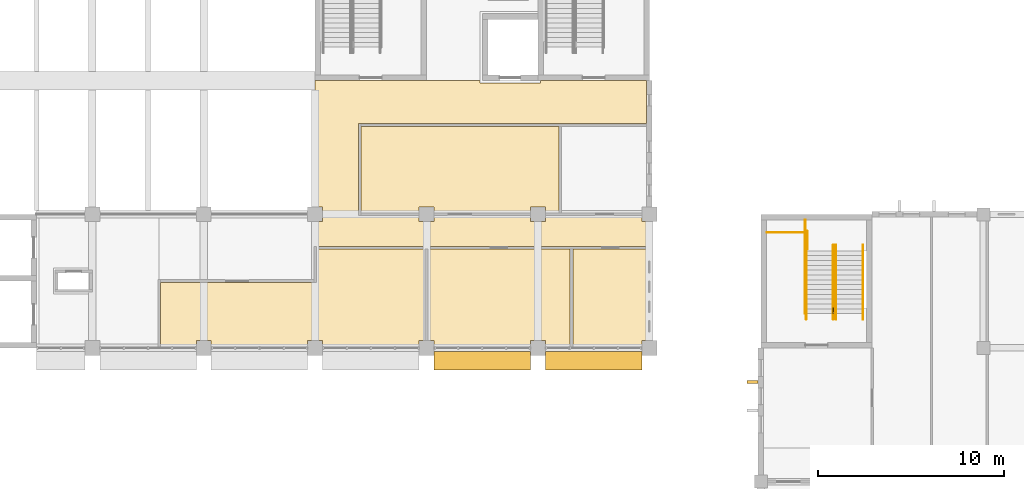
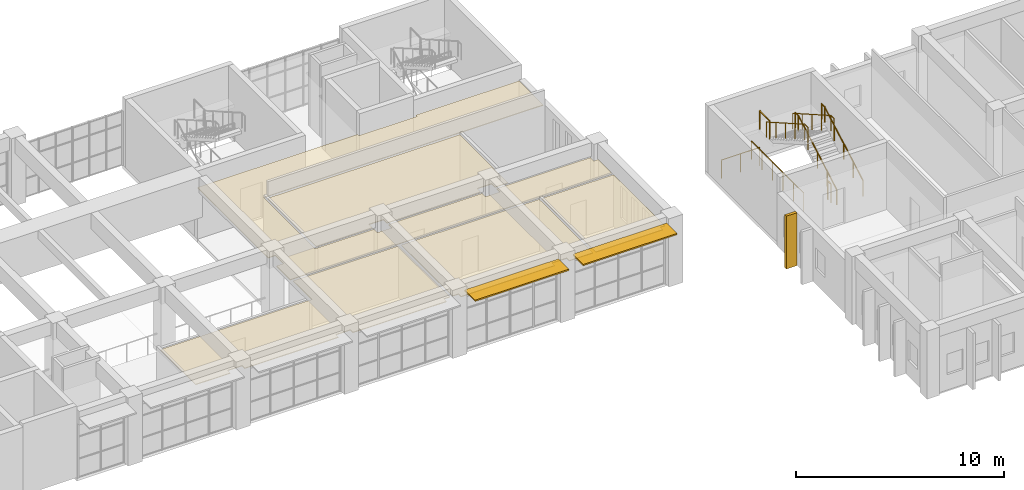
# One storey, part 44 of 47: 8 railings, 5 coverings, 3 shading devices.
"""IFC4 building model written with IfcOpenShell, lengths in metres."""

from ifc_helpers import new_model, si_unit, direction, frame, origin, origin_2d, place, context, subcontext, project, spatial, polyline, rectangle, circle, outline, extrude, material, layer, layer_set, type_object, element, save


model = new_model("IFC4")

# Units and contexts
model_context = context("Model", 3, precision=1e-05, world=origin(), true_north=direction((0.0, 1.0)))
body_context = subcontext(model_context, "Body", "Model", "MODEL_VIEW")
ifc_project = project(units=[si_unit("LENGTHUNIT", "METRE"), si_unit("AREAUNIT", "SQUARE_METRE"), si_unit("VOLUMEUNIT", "CUBIC_METRE"), si_unit("PLANEANGLEUNIT", "RADIAN"), si_unit("MASSUNIT", "GRAM", prefix="KILO")], contexts=[model_context])

# Site, building, storey
site_placement = place(None, origin())
site = spatial("IfcSite", under=ifc_project, at=site_placement, CompositionType="ELEMENT")
building_placement = place(site_placement, origin())
building = spatial("IfcBuilding", under=site, at=building_placement, Name="Laocheng Heights Fire and Rescue Headquarters", CompositionType="ELEMENT")
storey_placement = place(building_placement, frame((0.0, 0.0, 16.800048828125)))
storey = spatial("IfcBuildingStorey", under=building, at=storey_placement, Name="L04", CompositionType="ELEMENT", Elevation=16.800048828125)

# Shading devices
ifc_material_1 = material(Name="Precast concrete C40/50, light warm grey", Category="concrete")
ifc_layer_1 = layer(ifc_material_1, 0.080078125)
ifc_layer_set_1 = layer_set([ifc_layer_1], Name="Precast concrete C40/50, light warm grey")
shading_device_type_1 = type_object("IfcShadingDeviceType", Name="PRECAST BLADE 1000 x 80 BLADE HQ SOUTH", PredefinedType="JALOUSIE", material=ifc_layer_set_1)
for number, where, z_axis, x_axis, name in (
    (1, (75.0, 49.699951171875, 3.559814453125), (0.0, 0.0, 1.0), (1.0, 0.0, 0.0), "BLADE HQ SOUTH L04"),
    (2, (81.0, 49.699951171875, 3.559814453125), (0.0, 0.0, 1.0), (1.0, 0.0, 0.0), "BLADE HQ SOUTH L04"),
):
    element("IfcShadingDevice", number, at=place(storey_placement, frame(where, z_axis=z_axis, x_axis=x_axis)), inside=storey, type_object=shading_device_type_1, Name=name, PredefinedType="JALOUSIE", context=body_context, shape_type="SweptSolid", body=[
        extrude(rectangle(XDim=5.199951171875, YDim=1.0, at=origin_2d()), origin(), (0.0, 0.0, 1.0), 0.080078125),
    ])
ifc_material_2 = material(Name="Precast concrete C40/50, light warm grey", Category="concrete")
ifc_layer_2 = layer(ifc_material_2, 0.14990234375)
ifc_layer_set_2 = layer_set([ifc_layer_2], Name="Precast concrete C40/50, light warm grey")
shading_device_type_2 = type_object("IfcShadingDeviceType", Name="PRECAST VERTICAL FIN 150 x 600 DORMITORY", PredefinedType="AWNING", material=ifc_layer_set_2)
shading_device_placement = place(storey_placement, frame((89.550048828125, 48.5625, 0.0), z_axis=(0.0, 0.0, 1.0), x_axis=(1.0, 0.0, 0.0)))
element("IfcShadingDevice", 3, at=shading_device_placement, inside=storey, type_object=shading_device_type_2, Name="FIN CREW L04", PredefinedType="AWNING", context=body_context, shape_type="SweptSolid", body=[
    extrude(rectangle(XDim=0.60009765625, YDim=0.14990234375, at=origin_2d()), origin(), (0.0, 0.0, 1.0), 3.10009765625),
])

# Railings
ifc_material_3 = material(Name="Steel Q355B", Category="steel")
railing_type_1 = type_object("IfcRailingType", Name="STAIR GUARD 1100", PredefinedType="GUARDRAIL", material=ifc_material_3)
railing_1_placement = place(storey_placement, frame((93.905029296875, 52.550048828125, 0.0)))
element("IfcRailing", 4, at=railing_1_placement, inside=storey, type_object=railing_type_1, Name="Stair C2 guard L04 well edge", PredefinedType="GUARDRAIL", context=body_context, shape_type="SweptSolid", body=[
    extrude(circle(Radius=0.02392578125, at=origin_2d()), frame((0.0, 0.0, 1.076171875), z_axis=(0.0, -1.0, 0.0), x_axis=(1.0, 0.0, 0.0)), (0.0, 0.0, 1.0), 0.300048828125),
    extrude(circle(Radius=0.02099609375, at=origin_2d()), origin(), (0.0, 0.0, 1.0), 1.052001953125),
    extrude(circle(Radius=0.02099609375, at=origin_2d()), frame((0.0, -0.300048828125, 0.0)), (0.0, 0.0, 1.0), 1.052001953125),
])
railing_2_placement = place(storey_placement, frame((92.47509765625, 56.6201171875, 0.0)))
element("IfcRailing", 5, at=railing_2_placement, inside=storey, type_object=railing_type_1, Name="Stair C2 guard L04 tongue edge", PredefinedType="GUARDRAIL", context=body_context, shape_type="SweptSolid", body=[
    extrude(circle(Radius=0.02392578125, at=origin_2d()), frame((0.0, 0.0, 1.076171875), z_axis=(-1.0, 0.0, 0.0), x_axis=(0.0, -1.0, 0.0)), (0.0, 0.0, 1.0), 2.125),
    extrude(circle(Radius=0.02099609375, at=origin_2d()), origin(), (0.0, 0.0, 1.0), 1.052001953125),
    extrude(circle(Radius=0.02099609375, at=origin_2d()), frame((-1.0625, 0.0, 0.0)), (0.0, 0.0, 1.0), 1.052001953125),
    extrude(circle(Radius=0.02099609375, at=origin_2d()), frame((-2.125, 0.0, 0.0)), (0.0, 0.0, 1.0), 1.052001953125),
])
railing_3_placement = place(storey_placement, frame((92.39501953125, 57.280029296875, 0.0)))
element("IfcRailing", 6, at=railing_3_placement, inside=storey, type_object=railing_type_1, Name="Stair C2 guard L04 strip edge", PredefinedType="GUARDRAIL", context=body_context, shape_type="SweptSolid", body=[
    extrude(circle(Radius=0.02392578125, at=origin_2d()), frame((0.0, 0.0, 1.076171875), z_axis=(0.0, -1.0, 0.0), x_axis=(1.0, 0.0, 0.0)), (0.0, 0.0, 1.0), 5.030029296875),
    extrude(circle(Radius=0.02099609375, at=origin_2d()), origin(), (0.0, 0.0, 1.0), 1.052001953125),
    extrude(circle(Radius=0.02099609375, at=origin_2d()), frame((0.0, -1.006103515625, 0.0)), (0.0, 0.0, 1.0), 1.052001953125),
    extrude(circle(Radius=0.02099609375, at=origin_2d()), frame((0.0, -2.011962890625, 0.0)), (0.0, 0.0, 1.0), 1.052001953125),
    extrude(circle(Radius=0.02099609375, at=origin_2d()), frame((0.0, -3.01806640625, 0.0)), (0.0, 0.0, 1.0), 1.052001953125),
    extrude(circle(Radius=0.02099609375, at=origin_2d()), frame((0.0, -4.02392578125, 0.0)), (0.0, 0.0, 1.0), 1.052001953125),
    extrude(circle(Radius=0.02099609375, at=origin_2d()), frame((0.0, -5.030029296875, 0.0)), (0.0, 0.0, 1.0), 1.052001953125),
])
railing_4_placement = place(storey_placement, frame((92.5048828125, 56.679931640625, 2.099853515625)))
element("IfcRailing", 7, at=railing_4_placement, inside=storey, type_object=railing_type_1, Name="Stair C2 guard L04 half landing", PredefinedType="GUARDRAIL", context=body_context, shape_type="SweptSolid", body=[
    extrude(circle(Radius=0.02392578125, at=origin_2d()), frame((0.0, 0.0, 1.076171875), z_axis=(0.0, -1.0, 0.0), x_axis=(1.0, 0.0, 0.0)), (0.0, 0.0, 1.0), 0.949951171875),
    extrude(circle(Radius=0.02099609375, at=origin_2d()), origin(), (0.0, 0.0, 1.0), 1.052001953125),
    extrude(circle(Radius=0.02099609375, at=origin_2d()), frame((0.0, -0.949951171875, 0.0)), (0.0, 0.0, 1.0), 1.052001953125),
])
ifc_material_4 = material(Name="Steel Q355B", Category="steel")
railing_type_2 = type_object("IfcRailingType", Name="STAIR HANDRAIL 920", PredefinedType="HANDRAIL", material=ifc_material_4)
for number, where, name in (
    (8, (95.5048828125, 51.949951171875, 0.0), "Stair C2 handrail L04 1"),
    (9, (94.044921875, 51.949951171875, 0.0), "Stair C2 handrail L04 2"),
):
    element("IfcRailing", number, at=place(storey_placement, frame(where)), inside=storey, type_object=railing_type_2, Name=name, PredefinedType="HANDRAIL", context=body_context, shape_type="SweptSolid", body=[
        extrude(circle(Radius=0.02392578125, at=origin_2d()), frame((0.0, 0.0, 0.89599609375), z_axis=(0.0, 0.868544392059, 0.495611379029), x_axis=(-1.0, 0.0, 0.0)), (0.0, 0.0, 1.0), 4.23681640625),
        extrude(circle(Radius=0.02392578125, at=origin_2d()), frame((0.0, 3.679931640625, 2.99560546875), z_axis=(0.0, 1.0, 0.0), x_axis=(-1.0, 0.0, 0.0)), (0.0, 0.0, 1.0), 0.300048828125),
        extrude(circle(Radius=0.02099609375, at=origin_2d()), origin(), (0.0, 0.0, 1.0), 0.871826171875),
        extrude(circle(Radius=0.02099609375, at=origin_2d()), frame((0.0, 0.919921875, 0.52490234375)), (0.0, 0.0, 1.0), 0.871826171875),
        extrude(circle(Radius=0.02099609375, at=origin_2d()), frame((0.0, 1.83984375, 1.0498046875)), (0.0, 0.0, 1.0), 0.871826171875),
        extrude(circle(Radius=0.02099609375, at=origin_2d()), frame((0.0, 2.760009765625, 1.574951171875)), (0.0, 0.0, 1.0), 0.871826171875),
        extrude(circle(Radius=0.02099609375, at=origin_2d()), frame((0.0, 3.679931640625, 2.099853515625)), (0.0, 0.0, 1.0), 0.871826171875),
        extrude(circle(Radius=0.02099609375, at=origin_2d()), frame((0.0, 3.97998046875, 2.099853515625)), (0.0, 0.0, 1.0), 0.871826171875),
    ])
for number, where, name in (
    (10, (93.905029296875, 55.929931640625, 2.099853515625), "Stair C2 handrail L04 3"),
    (11, (92.445068359375, 55.929931640625, 2.099853515625), "Stair C2 handrail L04 4"),
):
    element("IfcRailing", number, at=place(storey_placement, frame(where)), inside=storey, type_object=railing_type_2, Name=name, PredefinedType="HANDRAIL", context=body_context, shape_type="SweptSolid", body=[
        extrude(circle(Radius=0.02392578125, at=origin_2d()), frame((0.0, 0.0, 0.89599609375), z_axis=(0.0, -0.868519587458, 0.495654845838), x_axis=(1.0, 0.0, 0.0)), (0.0, 0.0, 1.0), 4.237060546875),
        extrude(circle(Radius=0.02392578125, at=origin_2d()), frame((0.0, -3.679931640625, 2.99609375), z_axis=(0.0, -1.0, 0.0), x_axis=(1.0, 0.0, 0.0)), (0.0, 0.0, 1.0), 0.300048828125),
        extrude(circle(Radius=0.02099609375, at=origin_2d()), origin(), (0.0, 0.0, 1.0), 0.871826171875),
        extrude(circle(Radius=0.02099609375, at=origin_2d()), frame((0.0, -0.919921875, 0.52490234375)), (0.0, 0.0, 1.0), 0.871826171875),
        extrude(circle(Radius=0.02099609375, at=origin_2d()), frame((0.0, -1.83984375, 1.050048828125)), (0.0, 0.0, 1.0), 0.871826171875),
        extrude(circle(Radius=0.02099609375, at=origin_2d()), frame((0.0, -2.760009765625, 1.5751953125)), (0.0, 0.0, 1.0), 0.871826171875),
        extrude(circle(Radius=0.02099609375, at=origin_2d()), frame((0.0, -3.679931640625, 2.10009765625)), (0.0, 0.0, 1.0), 0.871826171875),
        extrude(circle(Radius=0.02099609375, at=origin_2d()), frame((0.0, -3.97998046875, 2.10009765625)), (0.0, 0.0, 1.0), 0.871826171875),
    ])

# Coverings
ifc_material_5 = material(Name="Mineral fibre ceiling tile")
ifc_layer_3 = layer(ifc_material_5, 0.0400390625)
ifc_layer_set_3 = layer_set([ifc_layer_3], Name="Mineral fibre ceiling tile")
covering_type = type_object("IfcCoveringType", Name="SUSPENDED CEILING MINERAL FIBRE TILE HQ WING", PredefinedType="CEILING", material=ifc_layer_set_3)
covering_1_placement = place(storey_placement, frame((0.0, 0.0, 3.0)))
element("IfcCovering", 12, at=covering_1_placement, inside=storey, type_object=covering_type, Name="Circulation ceiling", PredefinedType="CEILING", context=body_context, shape_type="SweptSolid", body=[
    extrude(outline(polyline([(66.0, 62.39990234375), (66.0, 64.800048828125), (74.875, 64.800048828125), (74.875, 64.675048828125), (75.125, 64.675048828125), (77.875, 64.675048828125), (78.125, 64.675048828125), (78.125, 64.800048828125), (83.85009765625, 64.800048828125), (83.85009765625, 62.47509765625), (68.47509765625, 62.47509765625), (68.324951171875, 62.47509765625), (68.324951171875, 57.52490234375), (68.47509765625, 57.52490234375), (71.60009765625, 57.52490234375), (71.60009765625, 57.199951171875), (72.39990234375, 57.199951171875), (72.39990234375, 57.52490234375), (77.60009765625, 57.52490234375), (77.60009765625, 57.199951171875), (78.39990234375, 57.199951171875), (78.39990234375, 57.52490234375), (83.60009765625, 57.52490234375), (83.60009765625, 57.199951171875), (83.85009765625, 57.199951171875), (83.85009765625, 55.875), (66.074951171875, 55.875), (66.0, 55.875), (66.0, 57.199951171875), (66.39990234375, 57.199951171875), (66.39990234375, 58.0), (66.0, 58.0), (66.0, 62.39990234375)])), origin(), (0.0, 0.0, 1.0), 0.0400390625),
])
covering_2_placement = place(storey_placement, frame((0.0, 0.0, 3.0)))
element("IfcCovering", 13, at=covering_2_placement, inside=storey, type_object=covering_type, Name="Incident Training Simulation Room ceiling", PredefinedType="CEILING", context=body_context, shape_type="SweptSolid", body=[
    extrude(outline(polyline([(68.47509765625, 62.324951171875), (79.125, 62.324951171875), (79.125, 57.675048828125), (78.39990234375, 57.675048828125), (78.39990234375, 58.0), (77.60009765625, 58.0), (77.60009765625, 57.675048828125), (72.39990234375, 57.675048828125), (72.39990234375, 58.0), (71.60009765625, 58.0), (71.60009765625, 57.675048828125), (68.47509765625, 57.675048828125), (68.47509765625, 62.324951171875)])), origin(), (0.0, 0.0, 1.0), 0.0400390625),
])
covering_3_placement = place(storey_placement, frame((0.0, 0.0, 3.0)))
element("IfcCovering", 14, at=covering_3_placement, inside=storey, type_object=covering_type, Name="Seminar Room ceiling", PredefinedType="CEILING", context=body_context, shape_type="SweptSolid", body=[
    extrude(outline(polyline([(66.074951171875, 53.925048828125), (66.074951171875, 55.72509765625), (71.925048828125, 55.72509765625), (71.925048828125, 50.800048828125), (71.60009765625, 50.800048828125), (71.60009765625, 50.550048828125), (66.39990234375, 50.550048828125), (66.39990234375, 50.800048828125), (65.60009765625, 50.800048828125), (65.60009765625, 50.550048828125), (60.39990234375, 50.550048828125), (60.39990234375, 50.800048828125), (59.60009765625, 50.800048828125), (59.60009765625, 50.550048828125), (57.675048828125, 50.550048828125), (57.675048828125, 53.925048828125), (65.925048828125, 53.925048828125), (66.074951171875, 53.925048828125)])), origin(), (0.0, 0.0, 1.0), 0.0400390625),
])
covering_4_placement = place(storey_placement, frame((0.0, 0.0, 3.0)))
element("IfcCovering", 15, at=covering_4_placement, inside=storey, type_object=covering_type, Name="Instructors' Office ceiling", PredefinedType="CEILING", context=body_context, shape_type="SweptSolid", body=[
    extrude(outline(polyline([(79.72509765625, 55.72509765625), (79.72509765625, 50.550048828125), (78.39990234375, 50.550048828125), (78.39990234375, 50.800048828125), (77.60009765625, 50.800048828125), (77.60009765625, 50.550048828125), (72.39990234375, 50.550048828125), (72.39990234375, 50.800048828125), (72.074951171875, 50.800048828125), (72.074951171875, 55.72509765625), (79.72509765625, 55.72509765625)])), origin(), (0.0, 0.0, 1.0), 0.0400390625),
])
covering_5_placement = place(storey_placement, frame((0.0, 0.0, 3.0)))
element("IfcCovering", 16, at=covering_5_placement, inside=storey, type_object=covering_type, Name="Toilets ceiling", PredefinedType="CEILING", context=body_context, shape_type="SweptSolid", body=[
    extrude(outline(polyline([(79.875, 55.72509765625), (83.85009765625, 55.72509765625), (83.85009765625, 50.800048828125), (83.60009765625, 50.800048828125), (83.60009765625, 50.550048828125), (79.875, 50.550048828125), (79.875, 55.72509765625)])), origin(), (0.0, 0.0, 1.0), 0.0400390625),
])

save(model, "model.ifc")
